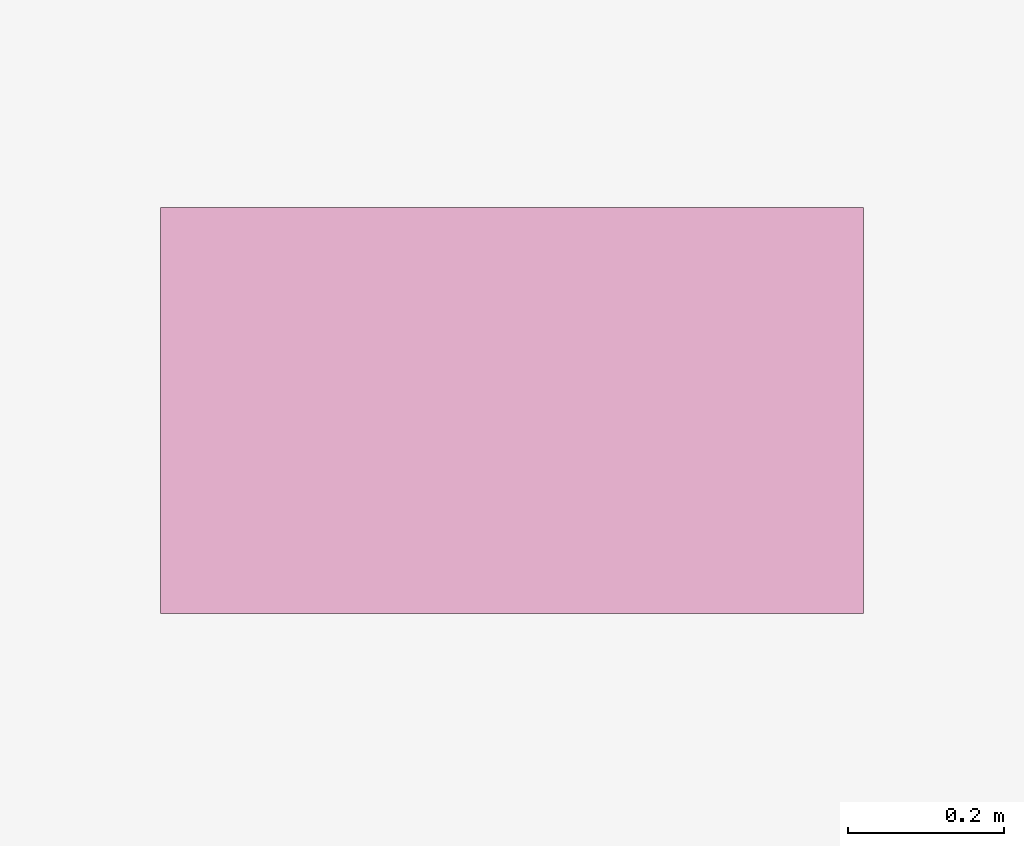
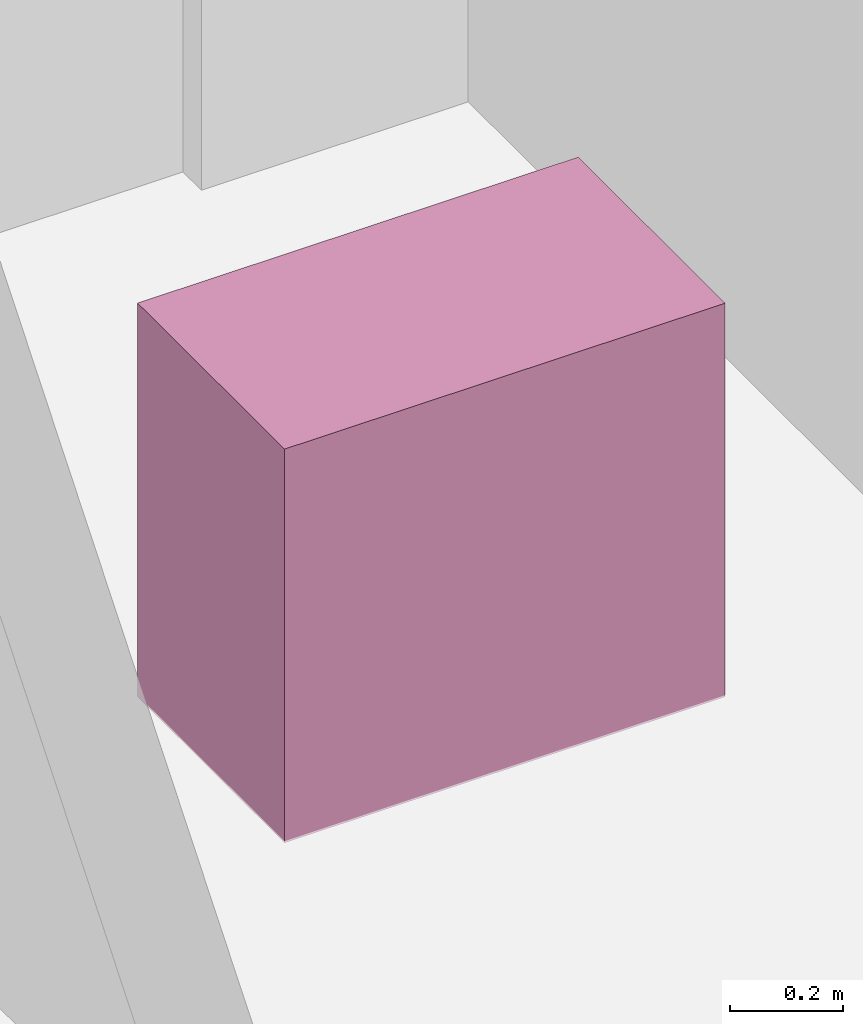
# One storey, part 33 of 33: 1 furnishing.
"""IFC4 building model written with IfcOpenShell, lengths in metres."""

from ifc_helpers import new_model, si_unit, direction, frame, origin, origin_2d, place, context, subcontext, project, spatial, rectangle, extrude, material, type_object, element, save


model = new_model("IFC4")

# Units and contexts
model_context = context("Model", 3, precision=1e-05, world=origin(), true_north=direction((0.0, 1.0)))
body_context = subcontext(model_context, "Body", "Model", "MODEL_VIEW")
ifc_project = project(units=[si_unit("LENGTHUNIT", "METRE"), si_unit("AREAUNIT", "SQUARE_METRE"), si_unit("VOLUMEUNIT", "CUBIC_METRE"), si_unit("PLANEANGLEUNIT", "RADIAN"), si_unit("MASSUNIT", "GRAM", prefix="KILO")], contexts=[model_context])

# Site, building, storey
site_placement = place(None, origin())
site = spatial("IfcSite", under=ifc_project, at=site_placement, CompositionType="ELEMENT")
building_placement = place(site_placement, origin())
building = spatial("IfcBuilding", under=site, at=building_placement, Name="Vorneva Point Tower", CompositionType="ELEMENT")
storey_placement = place(building_placement, frame((0.0, 0.0, 189.60009765625)))
storey = spatial("IfcBuildingStorey", under=building, at=storey_placement, Name="L51", CompositionType="ELEMENT", Elevation=189.60009765625)

# Furnishing
ifc_material = material(Name="Vitreous china and granite top", Category="masonry")
furniture_type = type_object("IfcFurnitureType", Name="FUR-VAN-900", AssemblyPlace="NOTDEFINED", PredefinedType="NOTDEFINED", material=ifc_material)
furnishing_placement = place(storey_placement, frame((34.52490234375, 32.1201171875, -0.005126953125), z_axis=(0.0, 0.0, 1.0), x_axis=(1.0, 0.0, 0.0)))
element("IfcFurnishingElement", 1, at=furnishing_placement, inside=storey, type_object=furniture_type, Name="L51 Accessible WC Vanity Unit", ObjectType="L51 Accessible WC Vanity Unit", context=body_context, shape_type="SweptSolid", body=[
    extrude(rectangle(XDim=0.89990234375, YDim=0.52001953125, at=origin_2d()), origin(), (0.0, 0.0, 1.0), 0.85009765625),
])

save(model, "model.ifc")
